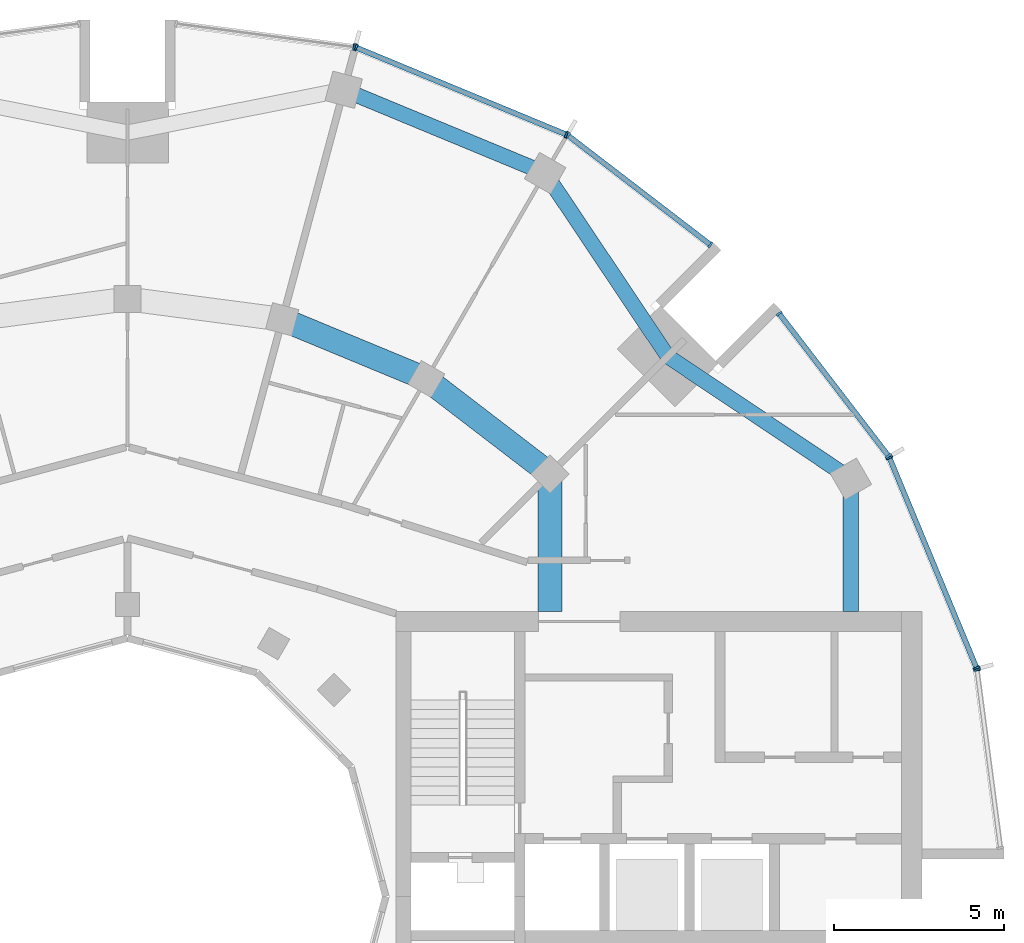
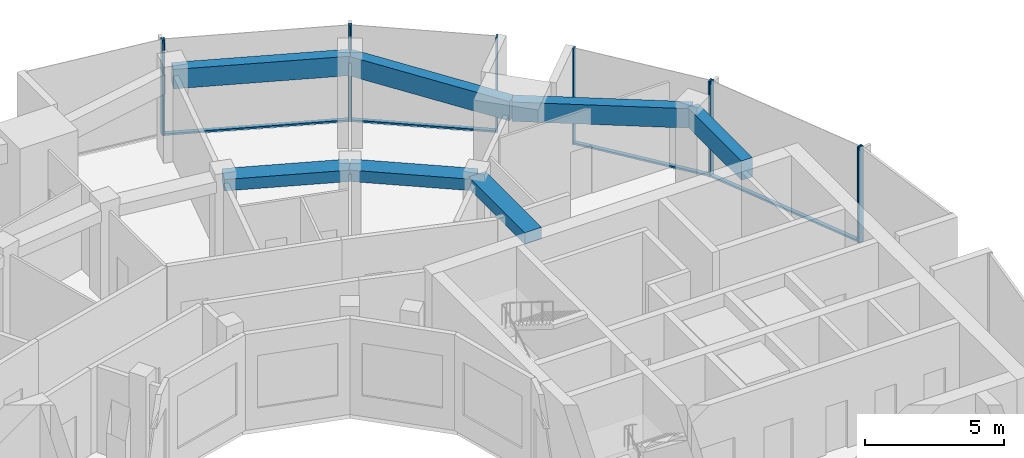
# One storey, part 6 of 15: 14 members, 7 beams, 6 elements without a shape of their own.
"""IFC4 building model written with IfcOpenShell, lengths in metres."""

from ifc_helpers import new_model, si_unit, direction, frame, origin, origin_2d, place, context, subcontext, project, spatial, rectangle, extrude, material, layer, layer_set, material_profile, profile_set, type_object, element, aggregate, save


model = new_model("IFC4")

# Units and contexts
model_context = context("Model", 3, precision=1e-05, world=origin(), true_north=direction((0.0, 1.0)))
body_context = subcontext(model_context, "Body", "Model", "MODEL_VIEW")
ifc_project = project(units=[si_unit("LENGTHUNIT", "METRE"), si_unit("AREAUNIT", "SQUARE_METRE"), si_unit("VOLUMEUNIT", "CUBIC_METRE"), si_unit("PLANEANGLEUNIT", "RADIAN"), si_unit("MASSUNIT", "GRAM", prefix="KILO")], contexts=[model_context])

# Site, building, storey
site_placement = place(None, origin())
site = spatial("IfcSite", under=ifc_project, at=site_placement, CompositionType="ELEMENT")
building_placement = place(site_placement, origin())
building = spatial("IfcBuilding", under=site, at=building_placement, Name="Torre Brocal", CompositionType="ELEMENT")
storey_placement = place(building_placement, frame((0.0, 0.0, 262.5)))
storey = spatial("IfcBuildingStorey", under=building, at=storey_placement, Name="L60", CompositionType="ELEMENT", Elevation=262.5)

# Curtain wall, members
ifc_material_1 = material(Name="Aluminium and glass", Category="aluminium")
ifc_layer_1 = layer(ifc_material_1, 0.199951171875)
ifc_layer_set_1 = layer_set([ifc_layer_1], Name="Aluminium and glass")
curtain_wall_type_1 = type_object("IfcCurtainWallType", Name="CW-1 CURTAIN WALL 4200 HIGH", PredefinedType="NOTDEFINED", material=ifc_layer_set_1)
curtain_wall_1_placement = place(storey_placement, origin())
curtain_wall_1 = element("IfcCurtainWall", 1, at=curtain_wall_1_placement, inside=storey, type_object=curtain_wall_type_1, Name="CW-1 RUN 2", PredefinedType="NOTDEFINED")
ifc_material_2 = material(Name="Aluminium, dark anodised", Category="aluminium")
ifc_material_profile_1 = material_profile(ifc_material_2, rectangle(XDim=0.199951171875, YDim=0.06005859375, at=origin_2d()), Name="CW-1 MULLION 60X200")
ifc_profile_set_1 = profile_set([ifc_material_profile_1], Name="Aluminium, dark anodised")
member_type_1 = type_object("IfcMemberType", Name="CW-1 MULLION 60X200", PredefinedType="MULLION", material=ifc_profile_set_1)
member_1_placement = place(storey_placement, frame((105.005126953125, 81.73095703125, 0.0), z_axis=(0.0, 0.0, 1.0), x_axis=(-0.923879532525, -0.382683432333, 0.0)))
member_1 = element("IfcMember", 2, at=member_1_placement, type_object=member_type_1, Name="CW1-5 mullion 1", PredefinedType="MULLION", context=body_context, shape_type="SweptSolid", body=[
    extrude(rectangle(XDim=0.199951171875, YDim=0.06005859375, at=origin_2d()), origin(), (0.0, 0.0, 1.0), 4.199951171875),
])
member_2_placement = place(storey_placement, frame((102.440673828125, 87.921875, 0.0), z_axis=(0.0, 0.0, 1.0), x_axis=(-0.923879532525, -0.382683432333, 0.0)))
member_2 = element("IfcMember", 3, at=member_2_placement, type_object=member_type_1, Name="CW1-5 mullion 2", PredefinedType="MULLION", context=body_context, shape_type="SweptSolid", body=[
    extrude(rectangle(XDim=0.199951171875, YDim=0.06005859375, at=origin_2d()), origin(), (0.0, 0.0, 1.0), 4.199951171875),
])

curtain_wall_2_placement = place(storey_placement, origin())
curtain_wall_2 = element("IfcCurtainWall", 4, at=curtain_wall_2_placement, inside=storey, type_object=curtain_wall_type_1, Name="CW-1 RUN 3", PredefinedType="NOTDEFINED")
member_3_placement = place(storey_placement, frame((102.4111328125, 87.973388671875, 0.0), z_axis=(0.0, 0.0, 1.0), x_axis=(-0.793353340259, -0.60876142905, 0.0)))
member_3 = element("IfcMember", 5, at=member_3_placement, type_object=member_type_1, Name="CW1-5 mullion 1", PredefinedType="MULLION", context=body_context, shape_type="SweptSolid", body=[
    extrude(rectangle(XDim=0.199951171875, YDim=0.06005859375, at=origin_2d()), origin(), (0.0, 0.0, 1.0), 4.199951171875),
])
member_4_placement = place(storey_placement, frame((99.19140625, 92.16943359375, 0.0), z_axis=(0.0, 0.0, 1.0), x_axis=(-0.793353340259, -0.60876142905, 0.0)))
member_4 = element("IfcMember", 6, at=member_4_placement, type_object=member_type_1, Name="CW1-5 mullion 2", PredefinedType="MULLION", context=body_context, shape_type="SweptSolid", body=[
    extrude(rectangle(XDim=0.199951171875, YDim=0.06005859375, at=origin_2d()), origin(), (0.0, 0.0, 1.0), 4.199951171875),
])

curtain_wall_3_placement = place(storey_placement, origin())
curtain_wall_3 = element("IfcCurtainWall", 7, at=curtain_wall_3_placement, inside=storey, type_object=curtain_wall_type_1, Name="CW-1 RUN 4", PredefinedType="NOTDEFINED")
member_5_placement = place(storey_placement, frame((97.16943359375, 94.19140625, 0.0), z_axis=(0.0, 0.0, 1.0), x_axis=(-0.60876142905, -0.793353340259, 0.0)))
member_5 = element("IfcMember", 8, at=member_5_placement, type_object=member_type_1, Name="CW1-5 mullion 1", PredefinedType="MULLION", context=body_context, shape_type="SweptSolid", body=[
    extrude(rectangle(XDim=0.199951171875, YDim=0.06005859375, at=origin_2d()), origin(), (0.0, 0.0, 1.0), 4.199951171875),
])
member_6_placement = place(storey_placement, frame((92.973388671875, 97.4111328125, 0.0), z_axis=(0.0, 0.0, 1.0), x_axis=(-0.60876142905, -0.793353340259, 0.0)))
member_6 = element("IfcMember", 9, at=member_6_placement, type_object=member_type_1, Name="CW1-5 mullion 2", PredefinedType="MULLION", context=body_context, shape_type="SweptSolid", body=[
    extrude(rectangle(XDim=0.199951171875, YDim=0.06005859375, at=origin_2d()), origin(), (0.0, 0.0, 1.0), 4.199951171875),
])

curtain_wall_4_placement = place(storey_placement, origin())
curtain_wall_4 = element("IfcCurtainWall", 10, at=curtain_wall_4_placement, inside=storey, type_object=curtain_wall_type_1, Name="CW-1 RUN 5", PredefinedType="NOTDEFINED")
member_7_placement = place(storey_placement, frame((92.921875, 97.440673828125, 0.0), z_axis=(0.0, 0.0, 1.0), x_axis=(-0.382683432333, -0.923879532525, 0.0)))
member_7 = element("IfcMember", 11, at=member_7_placement, type_object=member_type_1, Name="CW1-5 mullion 1", PredefinedType="MULLION", context=body_context, shape_type="SweptSolid", body=[
    extrude(rectangle(XDim=0.199951171875, YDim=0.06005859375, at=origin_2d()), origin(), (0.0, 0.0, 1.0), 4.199951171875),
])
member_8_placement = place(storey_placement, frame((86.73095703125, 100.005126953125, 0.0), z_axis=(0.0, 0.0, 1.0), x_axis=(-0.382683432333, -0.923879532525, 0.0)))
member_8 = element("IfcMember", 12, at=member_8_placement, type_object=member_type_1, Name="CW1-5 mullion 2", PredefinedType="MULLION", context=body_context, shape_type="SweptSolid", body=[
    extrude(rectangle(XDim=0.199951171875, YDim=0.06005859375, at=origin_2d()), origin(), (0.0, 0.0, 1.0), 4.199951171875),
])

# Curtain wall, member
curtain_wall_5_placement = place(storey_placement, origin())
curtain_wall_5 = element("IfcCurtainWall", 13, at=curtain_wall_5_placement, inside=storey, type_object=curtain_wall_type_1, Name="CW-1 RUN 6", PredefinedType="NOTDEFINED")
member_9_placement = place(storey_placement, frame((86.67333984375, 100.0205078125, 0.0), z_axis=(0.0, 0.0, 1.0), x_axis=(-0.13052619222, -0.991444861374, 0.0)))
member_9 = element("IfcMember", 14, at=member_9_placement, type_object=member_type_1, Name="CW1-5 mullion 1", PredefinedType="MULLION", context=body_context, shape_type="SweptSolid", body=[
    extrude(rectangle(XDim=0.199951171875, YDim=0.06005859375, at=origin_2d()), origin(), (0.0, 0.0, 1.0), 4.199951171875),
])
aggregate(curtain_wall_5, [member_9])

# Member
ifc_material_3 = material(Name="Aluminium, dark anodised", Category="aluminium")
ifc_material_profile_2 = material_profile(ifc_material_3, rectangle(XDim=0.159912109375, YDim=0.080078125, at=origin_2d()), Name="CW-1 TRANSOM 160X80")
ifc_profile_set_2 = profile_set([ifc_material_profile_2], Name="Aluminium, dark anodised")
member_type_2 = type_object("IfcMemberType", Name="CW-1 TRANSOM 160X80", PredefinedType="USERDEFINED", material=ifc_profile_set_2)
member_10_placement = place(storey_placement, frame((104.99365234375, 81.758544921875, 0.0400390625), z_axis=(-0.38266457234, 0.923887344364, 0.0), x_axis=(-0.923887344364, -0.38266457234, 0.0)))
member_10 = element("IfcMember", 15, at=member_10_placement, type_object=member_type_2, Name="CW1-5 transom 1.1", ObjectType="TRANSOM", PredefinedType="USERDEFINED", context=body_context, shape_type="SweptSolid", body=[
    extrude(rectangle(XDim=0.159912109375, YDim=0.080078125, at=origin_2d()), origin(), (0.0, 0.0, 1.0), 6.640869140625),
])

aggregate(curtain_wall_1, [member_1, member_2, member_10])

member_11_placement = place(storey_placement, frame((102.392822265625, 87.9970703125, 0.0400390625), z_axis=(-0.60874908096, 0.79336281513, 0.0), x_axis=(-0.79336281513, -0.60874908096, 0.0)))
member_11 = element("IfcMember", 16, at=member_11_placement, type_object=member_type_2, Name="CW1-5 transom 1.1", ObjectType="TRANSOM", PredefinedType="USERDEFINED", context=body_context, shape_type="SweptSolid", body=[
    extrude(rectangle(XDim=0.159912109375, YDim=0.080078125, at=origin_2d()), origin(), (0.0, 0.0, 1.0), 5.22900390625),
])

aggregate(curtain_wall_2, [member_3, member_4, member_11])

member_12_placement = place(storey_placement, frame((97.1455078125, 94.209716796875, 0.0400390625), z_axis=(-0.79336281513, 0.60874908096, 0.0), x_axis=(-0.60874908096, -0.79336281513, 0.0)))
member_12 = element("IfcMember", 17, at=member_12_placement, type_object=member_type_2, Name="CW1-5 transom 1.1", ObjectType="TRANSOM", PredefinedType="USERDEFINED", context=body_context, shape_type="SweptSolid", body=[
    extrude(rectangle(XDim=0.159912109375, YDim=0.080078125, at=origin_2d()), origin(), (0.0, 0.0, 1.0), 5.22900390625),
])

aggregate(curtain_wall_3, [member_5, member_6, member_12])

member_13_placement = place(storey_placement, frame((92.89404296875, 97.452392578125, 0.0400390625), z_axis=(-0.923887344364, 0.38266457234, 0.0), x_axis=(-0.38266457234, -0.923887344364, 0.0)))
member_13 = element("IfcMember", 18, at=member_13_placement, type_object=member_type_2, Name="CW1-5 transom 1.1", ObjectType="TRANSOM", PredefinedType="USERDEFINED", context=body_context, shape_type="SweptSolid", body=[
    extrude(rectangle(XDim=0.159912109375, YDim=0.080078125, at=origin_2d()), origin(), (0.0, 0.0, 1.0), 6.640869140625),
])

aggregate(curtain_wall_4, [member_7, member_8, member_13])

# Curtain wall, member
ifc_material_4 = material(Name="Aluminium and glass", Category="aluminium")
ifc_layer_2 = layer(ifc_material_4, 0.199951171875)
ifc_layer_set_2 = layer_set([ifc_layer_2], Name="Aluminium and glass")
curtain_wall_type_2 = type_object("IfcCurtainWallType", Name="CW-1B CURTAIN WALL 4200 HIGH", PredefinedType="NOTDEFINED", material=ifc_layer_set_2)
curtain_wall_6_placement = place(storey_placement, origin())
curtain_wall_6 = element("IfcCurtainWall", 19, at=curtain_wall_6_placement, inside=storey, type_object=curtain_wall_type_2, Name="CW-1B RUN 1", PredefinedType="NOTDEFINED")
ifc_material_5 = material(Name="Aluminium, dark anodised", Category="aluminium")
ifc_material_profile_3 = material_profile(ifc_material_5, rectangle(XDim=0.199951171875, YDim=0.06005859375, at=origin_2d()), Name="CW-1B MULLION 60X200")
ifc_profile_set_3 = profile_set([ifc_material_profile_3], Name="Aluminium, dark anodised")
member_type_3 = type_object("IfcMemberType", Name="CW-1B MULLION 60X200", PredefinedType="MULLION", material=ifc_profile_set_3)
member_14_placement = place(storey_placement, frame((105.0205078125, 81.67333984375, 0.0), z_axis=(0.0, 0.0, 1.0), x_axis=(-0.991444861374, -0.13052619222, 0.0)))
member_14 = element("IfcMember", 20, at=member_14_placement, type_object=member_type_3, Name="CW1B-5 mullion 2", PredefinedType="MULLION", context=body_context, shape_type="SweptSolid", body=[
    extrude(rectangle(XDim=0.199951171875, YDim=0.06005859375, at=origin_2d()), origin(), (0.0, 0.0, 1.0), 4.199951171875),
])
aggregate(curtain_wall_6, [member_14])

# Beams
ifc_material_6 = material(Name="Concrete C50", Category="concrete")
ifc_material_profile_4 = material_profile(ifc_material_6, rectangle(XDim=0.699951171875, YDim=0.5, at=origin_2d()), Name="RC 700X500")
ifc_profile_set_4 = profile_set([ifc_material_profile_4], Name="Concrete C50")
beam_type_1 = type_object("IfcBeamType", Name="RC BEAM 700X500 C50 TOP 3880", PredefinedType="BEAM", material=ifc_profile_set_4)
beam_1_placement = place(storey_placement, frame((92.445068359375, 87.445068359375, 3.6298828125), z_axis=(-0.793358265959, 0.6087550097, 0.0), x_axis=(-0.6087550097, -0.793358265959, 0.0)))
element("IfcBeam", 21, at=beam_1_placement, inside=storey, type_object=beam_type_1, Name="Beam BT-37", PredefinedType="BEAM", context=body_context, shape_type="SweptSolid", body=[
    extrude(rectangle(XDim=0.699951171875, YDim=0.5, at=origin_2d()), origin(), (0.0, 0.0, 1.0), 4.594482421875),
])
beam_2_placement = place(storey_placement, frame((88.800048828125, 90.241943359375, 3.6298828125), z_axis=(-0.923878240166, 0.382686552348, 0.0), x_axis=(-0.382686552348, -0.923878240166, 0.0)))
element("IfcBeam", 22, at=beam_2_placement, inside=storey, type_object=beam_type_1, Name="Beam BT-37", PredefinedType="BEAM", context=body_context, shape_type="SweptSolid", body=[
    extrude(rectangle(XDim=0.699951171875, YDim=0.5, at=origin_2d()), origin(), (0.0, 0.0, 1.0), 4.5947265625),
])
beam_3_placement = place(storey_placement, frame((92.445068359375, 87.445068359375, 3.6298828125), z_axis=(0.0, -1.0, 0.0), x_axis=(1.0, 0.0, 0.0)))
element("IfcBeam", 23, at=beam_3_placement, inside=storey, type_object=beam_type_1, Name="Beam BT-37", PredefinedType="BEAM", context=body_context, shape_type="SweptSolid", body=[
    extrude(rectangle(XDim=0.699951171875, YDim=0.5, at=origin_2d()), origin(), (0.0, 0.0, 1.0), 4.045166015625),
])
ifc_material_7 = material(Name="Concrete C50", Category="concrete")
ifc_material_profile_5 = material_profile(ifc_material_7, rectangle(XDim=0.449951171875, YDim=0.85009765625, at=origin_2d()), Name="RC 450X850")
ifc_profile_set_5 = profile_set([ifc_material_profile_5], Name="Concrete C50")
beam_type_2 = type_object("IfcBeamType", Name="RC SPANDREL BEAM 450X850 C50 TOP 3880", PredefinedType="SPANDREL", material=ifc_profile_set_5)
for number, where, z_axis, x_axis, name in (
    (24, (101.30419921875, 87.300048828125, 3.455078125), (-0.831076844476, 0.556157602282, 0.0), (-0.556157602282, -0.831076844476, 0.0), "Beam BT-38"),
    (25, (95.909912109375, 90.909912109375, 3.455078125), (-0.556157602282, 0.831076844476, 0.0), (-0.831076844476, -0.556157602282, 0.0), "Beam BT-38"),
):
    element("IfcBeam", number, at=place(storey_placement, frame(where, z_axis=z_axis, x_axis=x_axis)), inside=storey, type_object=beam_type_2, Name=name, PredefinedType="SPANDREL", context=body_context, shape_type="SweptSolid", body=[
        extrude(rectangle(XDim=0.449951171875, YDim=0.85009765625, at=origin_2d()), origin(), (0.0, 0.0, 1.0), 6.49072265625),
    ])
beam_4_placement = place(storey_placement, frame((92.300048828125, 96.30419921875, 3.455078125), z_axis=(-0.923882462513, 0.382676358639, 0.0), x_axis=(-0.382676358639, -0.923882462513, 0.0)))
element("IfcBeam", 26, at=beam_4_placement, inside=storey, type_object=beam_type_2, Name="Beam BT-38", PredefinedType="SPANDREL", context=body_context, shape_type="SweptSolid", body=[
    extrude(rectangle(XDim=0.449951171875, YDim=0.85009765625, at=origin_2d()), origin(), (0.0, 0.0, 1.0), 6.421875),
])
beam_5_placement = place(storey_placement, frame((101.30419921875, 87.300048828125, 3.455078125), z_axis=(0.0, -1.0, 0.0), x_axis=(1.0, 0.0, 0.0)))
element("IfcBeam", 27, at=beam_5_placement, inside=storey, type_object=beam_type_2, Name="Beam BT-38", PredefinedType="SPANDREL", context=body_context, shape_type="SweptSolid", body=[
    extrude(rectangle(XDim=0.449951171875, YDim=0.85009765625, at=origin_2d()), origin(), (0.0, 0.0, 1.0), 3.900146484375),
])

save(model, "model.ifc")
